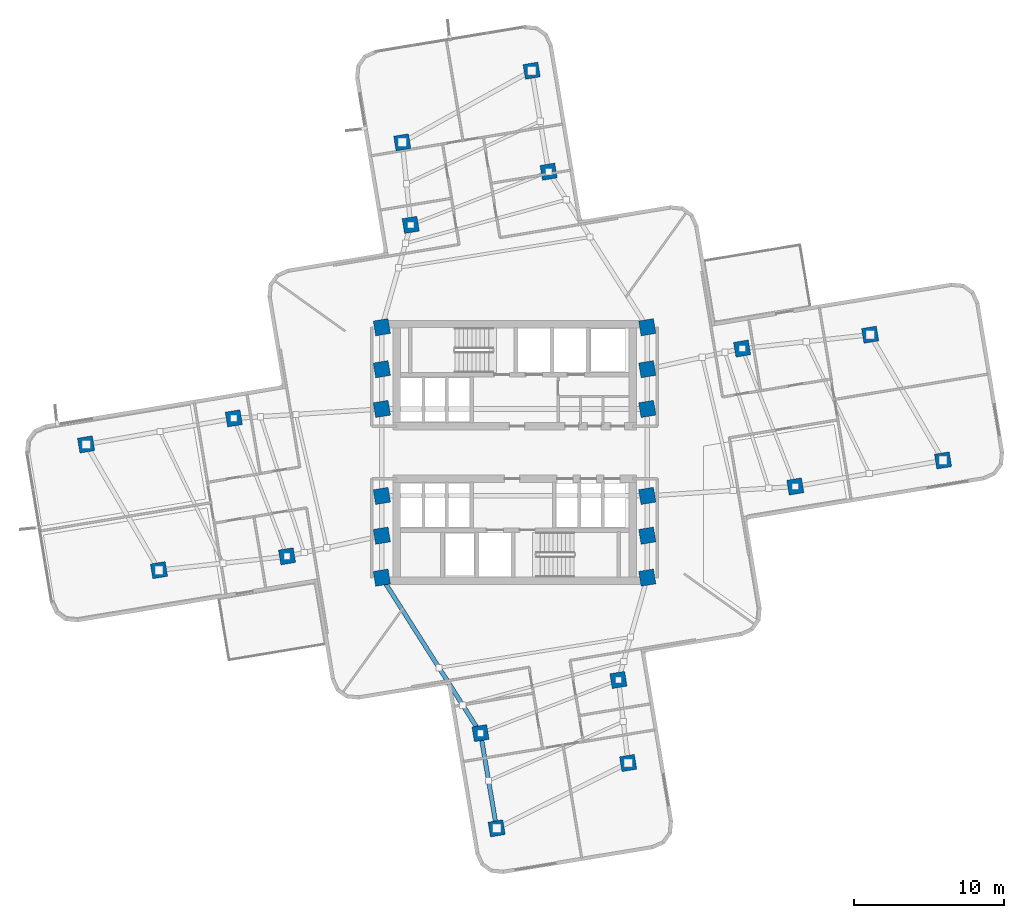
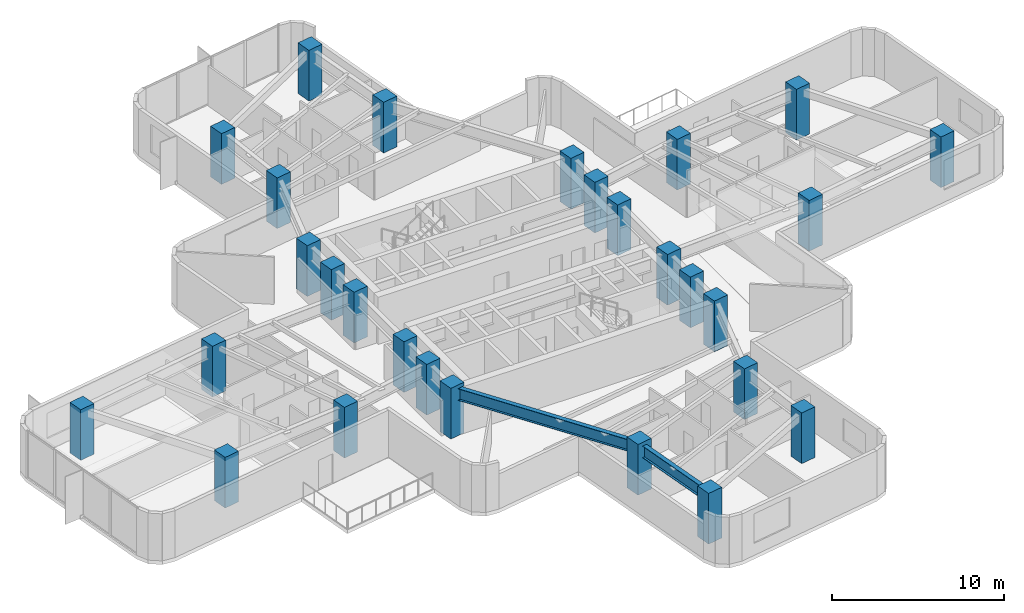
# One storey, part 1 of 13: 28 columns, 2 beams.
"""IFC4 building model written with IfcOpenShell, lengths in metres."""

from ifc_helpers import new_model, si_unit, direction, frame, origin, origin_2d, place, context, subcontext, project, spatial, rectangle, i_section, extrude, material, material_profile, profile_set, type_object, element, save


model = new_model("IFC4")

# Units and contexts
model_context = context("Model", 3, precision=1e-05, world=origin(), true_north=direction((0.0, 1.0)))
body_context = subcontext(model_context, "Body", "Model", "MODEL_VIEW")
ifc_project = project(units=[si_unit("LENGTHUNIT", "METRE"), si_unit("AREAUNIT", "SQUARE_METRE"), si_unit("VOLUMEUNIT", "CUBIC_METRE"), si_unit("PLANEANGLEUNIT", "RADIAN"), si_unit("MASSUNIT", "GRAM", prefix="KILO")], contexts=[model_context])

# Site, building, storey
site_placement = place(None, origin())
site = spatial("IfcSite", under=ifc_project, at=site_placement, CompositionType="ELEMENT")
building_placement = place(site_placement, origin())
building = spatial("IfcBuilding", under=site, at=building_placement, Name="Solmarez Civic Tower", CompositionType="ELEMENT")
storey_placement = place(building_placement, frame((0.0, 0.0, 96.47998046875)))
storey = spatial("IfcBuildingStorey", under=building, at=storey_placement, Name="L25", CompositionType="ELEMENT", Elevation=96.47998046875)

# Columns
ifc_material_1 = material(Name="Concrete C60/75", Category="concrete")
ifc_material_profile_1 = material_profile(ifc_material_1, rectangle(XDim=1.0, YDim=1.0, at=origin_2d()), Name="RC1000X1000")
ifc_profile_set_1 = profile_set([ifc_material_profile_1], Name="Concrete C60/75")
column_type = type_object("IfcColumnType", Name="COL-RC1000", PredefinedType="COLUMN", material=ifc_profile_set_1)
for number, where, z_axis, x_axis, name in (
    (1, (-8.85009765625, -5.550048828125, 0.0), (0.0, 0.0, 1.0), (0.986572161607, 0.163325962242, 0.0), "L25 Structural Column HC1"),
    (2, (-8.85009765625, -2.89990234375, 0.0), (0.0, 0.0, 1.0), (0.986572161607, 0.163325962242, 0.0), "L25 Structural Column HC2"),
    (3, (-8.85009765625, 2.89990234375, 0.0), (0.0, 0.0, 1.0), (0.986572161607, 0.163325962242, 0.0), "L25 Structural Column HC3"),
    (4, (-8.85009765625, 5.550048828125, 0.0), (0.0, 0.0, 1.0), (0.986572161607, 0.163325962242, 0.0), "L25 Structural Column HC4"),
    (5, (8.85009765625, -5.550048828125, 0.0), (0.0, 0.0, 1.0), (0.986572161607, 0.163325962242, 0.0), "L25 Structural Column HC5"),
    (6, (8.85009765625, -2.89990234375, 0.0), (0.0, 0.0, 1.0), (0.986572161607, 0.163325962242, 0.0), "L25 Structural Column HC6"),
    (7, (8.85009765625, 2.89990234375, 0.0), (0.0, 0.0, 1.0), (0.986572161607, 0.163325962242, 0.0), "L25 Structural Column HC7"),
    (8, (8.85009765625, 5.550048828125, 0.0), (0.0, 0.0, 1.0), (0.986572161607, 0.163325962242, 0.0), "L25 Structural Column HC8"),
    (9, (-8.85009765625, 8.35009765625, 0.0), (0.0, 0.0, 1.0), (0.986572161607, 0.163325962242, 0.0), "L25 Structural Column HC9"),
    (10, (8.85009765625, -8.35009765625, 0.0), (0.0, 0.0, 1.0), (0.986572161607, 0.163325962242, 0.0), "L25 Structural Column HC10"),
    (11, (8.85009765625, 8.35009765625, 0.0), (0.0, 0.0, 1.0), (0.986572161607, 0.163325962242, 0.0), "L25 Structural Column HC11"),
    (12, (-8.85009765625, -8.35009765625, 0.0), (0.0, 0.0, 1.0), (0.986572161607, 0.163325962242, 0.0), "L25 Structural Column HC12"),
    (13, (18.72412109375, -2.27099609375, 0.0), (0.0, 0.0, 1.0), (0.986572161607, 0.163325962242, 0.0), "L25 Structural Column EA11"),
    (14, (15.175048828125, 6.927001953125, 0.0), (0.0, 0.0, 1.0), (0.986572161607, 0.163325962242, 0.0), "L25 Structural Column EA12"),
    (15, (28.575927734375, -0.532958984375, 0.0), (0.0, 0.0, 1.0), (0.986572161607, 0.163325962242, 0.0), "L25 Structural Column EA21"),
    (16, (23.715087890625, 7.85107421875, 0.0), (0.0, 0.0, 1.0), (0.986572161607, 0.163325962242, 0.0), "L25 Structural Column EA22"),
    (17, (2.27099609375, 18.72412109375, 0.0), (0.0, 0.0, 1.0), (0.986572161607, 0.163325962242, 0.0), "L25 Structural Column NA11"),
    (18, (-6.927001953125, 15.175048828125, 0.0), (0.0, 0.0, 1.0), (0.986572161607, 0.163325962242, 0.0), "L25 Structural Column NA12"),
    (19, (1.138916015625, 25.45703125, 0.0), (0.0, 0.0, 1.0), (0.986572161607, 0.163325962242, 0.0), "L25 Structural Column NA21"),
    (20, (-7.489013671875, 20.678955078125, 0.0), (0.0, 0.0, 1.0), (0.986572161607, 0.163325962242, 0.0), "L25 Structural Column NA22"),
    (21, (-18.72412109375, 2.27099609375, 0.0), (0.0, 0.0, 1.0), (0.986572161607, 0.163325962242, 0.0), "L25 Structural Column WA11"),
    (22, (-15.175048828125, -6.927001953125, 0.0), (0.0, 0.0, 1.0), (0.986572161607, 0.163325962242, 0.0), "L25 Structural Column WA12"),
    (23, (-28.575927734375, 0.532958984375, 0.0), (0.0, 0.0, 1.0), (0.986572161607, 0.163325962242, 0.0), "L25 Structural Column WA21"),
    (24, (-23.715087890625, -7.85107421875, 0.0), (0.0, 0.0, 1.0), (0.986572161607, 0.163325962242, 0.0), "L25 Structural Column WA22"),
    (25, (-2.27099609375, -18.72412109375, 0.0), (0.0, 0.0, 1.0), (0.986572161607, 0.163325962242, 0.0), "L25 Structural Column SA11"),
    (26, (6.927001953125, -15.175048828125, 0.0), (0.0, 0.0, 1.0), (0.986572161607, 0.163325962242, 0.0), "L25 Structural Column SA12"),
    (27, (-1.195068359375, -25.073974609375, 0.0), (0.0, 0.0, 1.0), (0.986572161607, 0.163325962242, 0.0), "L25 Structural Column SA21"),
    (28, (7.573974609375, -20.714111328125, 0.0), (0.0, 0.0, 1.0), (0.986572161607, 0.163325962242, 0.0), "L25 Structural Column SA22"),
):
    element("IfcColumn", number, at=place(storey_placement, frame(where, z_axis=z_axis, x_axis=x_axis)), inside=storey, type_object=column_type, Name=name, PredefinedType="COLUMN", context=body_context, shape_type="SweptSolid", body=[
        extrude(rectangle(XDim=1.0, YDim=1.0, at=origin_2d()), origin(), (0.0, 0.0, 1.0), 3.60009765625),
    ])

# Beams
ifc_material_2 = material(Name="Steel S355", Category="steel")
ifc_material_profile_2 = material_profile(ifc_material_2, i_section(OverallWidth=0.2919921875, OverallDepth=0.845947265625, WebThickness=0.015380859375, FlangeThickness=0.0244140625, at=origin_2d()), Name="W33X141")
ifc_profile_set_2 = profile_set([ifc_material_profile_2], Name="Steel S355")
beam_type = type_object("IfcBeamType", Name="BM-PR-W33X141", PredefinedType="BEAM", material=ifc_profile_set_2)
beam_1_placement = place(storey_placement, frame((-8.85009765625, -8.35009765625, 2.9169921875), z_axis=(0.535568299099, -0.84449191648, 0.0), x_axis=(0.84449191648, 0.535568299099, 0.0)))
element("IfcBeam", 29, at=beam_1_placement, inside=storey, type_object=beam_type, Name="L25 Primary Floor Beam BM-L25-SA-R1A", PredefinedType="BEAM", context=body_context, shape_type="SweptSolid", body=[
    extrude(i_section(OverallWidth=0.2919921875, OverallDepth=0.845947265625, WebThickness=0.015380859375, FlangeThickness=0.0244140625, at=origin_2d()), origin(), (0.0, 0.0, 1.0), 12.284423828125),
])
beam_2_placement = place(storey_placement, frame((-2.27099609375, -18.72412109375, 2.9169921875), z_axis=(0.167060138422, -0.985946707561, 0.0), x_axis=(0.985946707561, 0.167060138422, 0.0)))
element("IfcBeam", 30, at=beam_2_placement, inside=storey, type_object=beam_type, Name="L25 Primary Floor Beam BM-L25-SA-R2A", PredefinedType="BEAM", context=body_context, shape_type="SweptSolid", body=[
    extrude(i_section(OverallWidth=0.2919921875, OverallDepth=0.845947265625, WebThickness=0.015380859375, FlangeThickness=0.0244140625, at=origin_2d()), origin(), (0.0, 0.0, 1.0), 6.4404296875),
])

save(model, "model.ifc")
